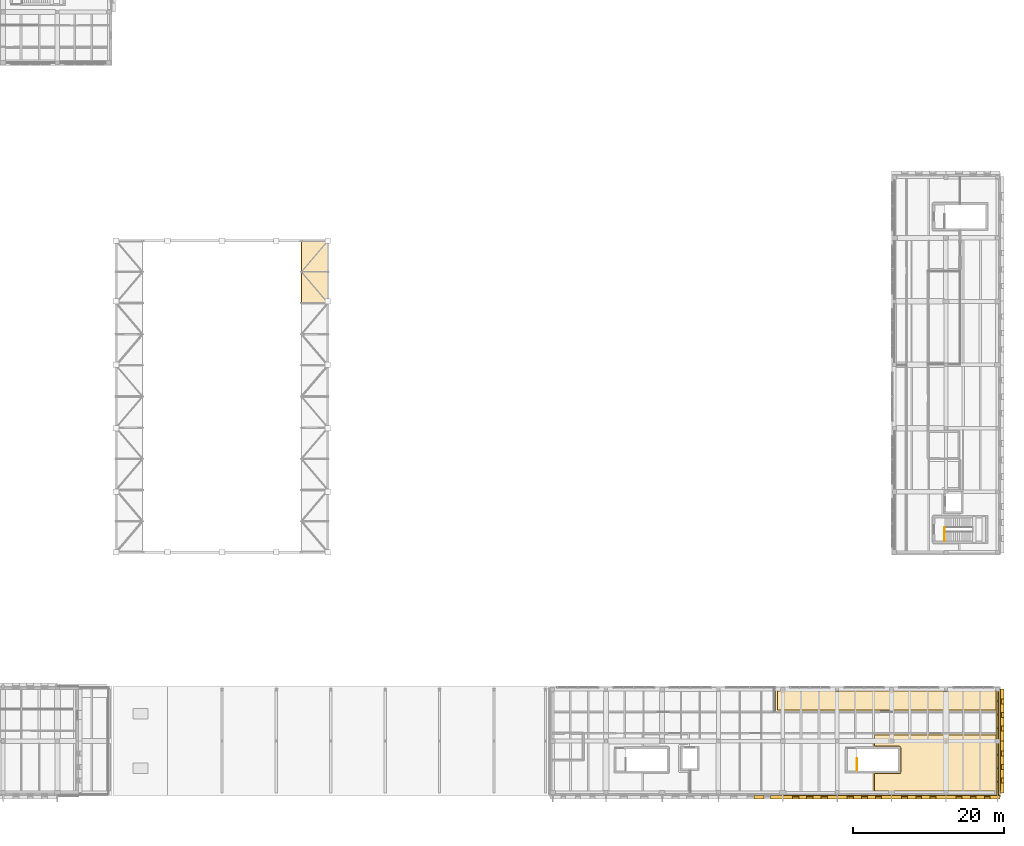
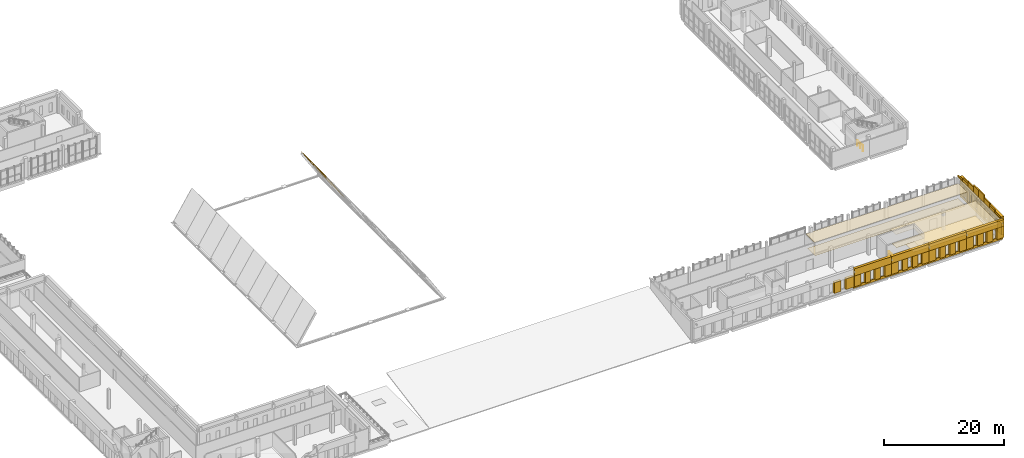
# One storey, part 54 of 56: 52 coverings, 2 railings.
"""IFC4 building model written with IfcOpenShell, lengths in metres."""

from ifc_helpers import new_model, si_unit, direction, frame, origin, origin_2d, place, context, subcontext, project, spatial, polyline, circle, outline, extrude, material, layer, layer_set, type_object, element, save


model = new_model("IFC4")

# Units and contexts
model_context = context("Model", 3, precision=1e-05, world=origin(), true_north=direction((0.0, 1.0)))
body_context = subcontext(model_context, "Body", "Model", "MODEL_VIEW")
ifc_project = project(units=[si_unit("LENGTHUNIT", "METRE"), si_unit("AREAUNIT", "SQUARE_METRE"), si_unit("VOLUMEUNIT", "CUBIC_METRE"), si_unit("PLANEANGLEUNIT", "RADIAN"), si_unit("MASSUNIT", "GRAM", prefix="KILO")], contexts=[model_context])

# Site, building, storey
site_placement = place(None, origin())
site = spatial("IfcSite", under=ifc_project, at=site_placement, CompositionType="ELEMENT")
building_placement = place(site_placement, origin())
building = spatial("IfcBuilding", under=site, at=building_placement, Name="Vardoun Plaza Health Centre", CompositionType="ELEMENT")
storey_placement = place(building_placement, frame((0.0, 0.0, 8.699951171875)))
storey = spatial("IfcBuildingStorey", under=building, at=storey_placement, Name="L02", CompositionType="ELEMENT", Elevation=8.699951171875)

# Coverings
ifc_material_1 = material(Name="Hygienic Acoustic Mineral-Fibre Ceiling", Category="concrete")
ifc_layer_1 = layer(ifc_material_1, 0.02490234375)
ifc_layer_set_1 = layer_set([ifc_layer_1], Name="Hygienic Acoustic Mineral-Fibre Ceiling")
covering_type_1 = type_object("IfcCoveringType", Name="CL-01", PredefinedType="CEILING", material=ifc_layer_set_1)
covering_1_placement = place(storey_placement, frame((0.0, 0.0, 2.864990234375)))
element("IfcCovering", 1, at=covering_1_placement, inside=storey, type_object=covering_type_1, Name="Day Surgery Operating Theatre 2 Acoustic Ceiling", PredefinedType="CEILING", context=body_context, shape_type="SweptSolid", body=[
    extrude(outline(polyline([(164.93994140625, 4.860107421875), (148.449951171875, 4.860107421875), (148.449951171875, 7.590087890625), (151.89990234375, 7.590087890625), (151.90087890625, 7.590087890625), (151.902099609375, 7.590087890625), (151.90283203125, 7.59033203125), (151.90380859375, 7.5908203125), (151.90478515625, 7.59130859375), (151.905517578125, 7.591796875), (151.90625, 7.59228515625), (151.906982421875, 7.593017578125), (151.90771484375, 7.59375), (151.908203125, 7.594482421875), (151.90869140625, 7.59521484375), (151.9091796875, 7.59619140625), (151.90966796875, 7.59716796875), (151.909912109375, 7.597900390625), (151.909912109375, 7.59912109375), (151.909912109375, 7.60009765625), (151.909912109375, 10.800048828125), (151.909912109375, 10.801025390625), (151.909912109375, 10.802001953125), (151.90966796875, 10.802978515625), (151.9091796875, 10.8037109375), (151.90869140625, 10.8046875), (151.908203125, 10.8056640625), (151.90771484375, 10.806396484375), (151.906982421875, 10.80712890625), (151.90625, 10.8076171875), (151.905517578125, 10.808349609375), (151.90478515625, 10.808837890625), (151.90380859375, 10.80908203125), (151.90283203125, 10.8095703125), (151.902099609375, 10.809814453125), (151.90087890625, 10.81005859375), (151.89990234375, 10.81005859375), (148.449951171875, 10.81005859375), (148.449951171875, 12.719970703125), (164.93994140625, 12.719970703125), (164.93994140625, 4.860107421875)])), origin(), (0.0, 0.0, 1.0), 0.025146484375),
])
covering_2_placement = place(storey_placement, frame((0.0, 0.0, 2.864990234375)))
element("IfcCovering", 2, at=covering_2_placement, inside=storey, type_object=covering_type_1, Name="Post-Anaesthesia Care Unit PACU Acoustic Ceiling", PredefinedType="CEILING", context=body_context, shape_type="SweptSolid", body=[
    extrude(outline(polyline([(164.93994140625, 18.5400390625), (164.93994140625, 15.580078125), (135.570068359375, 15.580078125), (135.570068359375, 18.5400390625), (164.93994140625, 18.5400390625)])), origin(), (0.0, 0.0, 1.0), 0.025146484375),
])
ifc_material_2 = material(Name="Pale Limestone Concrete C35/45", Category="masonry")
ifc_layer_2 = layer(ifc_material_2, 0.080078125)
ifc_layer_set_2 = layer_set([ifc_layer_2], Name="Pale Limestone Concrete C35/45")
covering_type_2 = type_object("IfcCoveringType", Name="CL-EXT1", PredefinedType="CLADDING", material=ifc_layer_set_2)
covering_3_placement = place(storey_placement, origin())
element("IfcCovering", 3, at=covering_3_placement, inside=storey, type_object=covering_type_2, Name="V5 L02 Pale Concrete Sill Band 1182", PredefinedType="CLADDING", context=body_context, shape_type="SweptSolid", body=[
    extrude(outline(polyline([(165.300048828125, 18.5849609375), (165.300048828125, 11.719970703125), (165.43994140625, 11.719970703125), (165.43994140625, 18.5849609375), (165.300048828125, 18.5849609375)])), origin(), (0.0, 0.0, 1.0), 0.550048828125),
])
covering_4_placement = place(storey_placement, frame((0.0, 0.0, 2.900146484375)))
element("IfcCovering", 4, at=covering_4_placement, inside=storey, type_object=covering_type_2, Name="V5 L02 Sculpted Concrete Eyebrow Hood 1183", PredefinedType="CLADDING", context=body_context, shape_type="SweptSolid", body=[
    extrude(outline(polyline([(165.300048828125, 18.5849609375), (165.300048828125, 11.719970703125), (165.780029296875, 11.719970703125), (165.780029296875, 18.5849609375), (165.300048828125, 18.5849609375)])), origin(), (0.0, 0.0, 1.0), 1.2998046875),
])
covering_5_placement = place(storey_placement, frame((0.0, 0.0, 0.550048828125)))
element("IfcCovering", 5, at=covering_5_placement, inside=storey, type_object=covering_type_2, Name="V5 L02 Deep-Punched Slot Concrete Reveal Pier 1184", PredefinedType="CLADDING", context=body_context, shape_type="SweptSolid", body=[
    extrude(outline(polyline([(165.300048828125, 18.5849609375), (165.300048828125, 17.2578125), (165.780029296875, 17.2578125), (165.780029296875, 18.5849609375), (165.300048828125, 18.5849609375)])), origin(), (0.0, 0.0, 1.0), 2.35009765625),
])
covering_6_placement = place(storey_placement, frame((0.0, 0.0, 0.550048828125)))
element("IfcCovering", 6, at=covering_6_placement, inside=storey, type_object=covering_type_2, Name="V5 L02 Deep-Punched Slot Concrete Reveal Pier 1185", PredefinedType="CLADDING", context=body_context, shape_type="SweptSolid", body=[
    extrude(outline(polyline([(165.300048828125, 16.6376953125), (165.300048828125, 15.46240234375), (165.780029296875, 15.46240234375), (165.780029296875, 16.6376953125), (165.300048828125, 16.6376953125)])), origin(), (0.0, 0.0, 1.0), 2.35009765625),
])
covering_7_placement = place(storey_placement, frame((0.0, 0.0, 0.550048828125)))
element("IfcCovering", 7, at=covering_7_placement, inside=storey, type_object=covering_type_2, Name="V5 L02 Deep-Punched Slot Concrete Reveal Pier 1186", PredefinedType="CLADDING", context=body_context, shape_type="SweptSolid", body=[
    extrude(outline(polyline([(165.300048828125, 14.842529296875), (165.300048828125, 13.667236328125), (165.780029296875, 13.667236328125), (165.780029296875, 14.842529296875), (165.300048828125, 14.842529296875)])), origin(), (0.0, 0.0, 1.0), 2.35009765625),
])
covering_8_placement = place(storey_placement, frame((0.0, 0.0, 0.550048828125)))
element("IfcCovering", 8, at=covering_8_placement, inside=storey, type_object=covering_type_2, Name="V5 L02 Deep-Punched Slot Concrete Reveal Pier 1187", PredefinedType="CLADDING", context=body_context, shape_type="SweptSolid", body=[
    extrude(outline(polyline([(165.300048828125, 13.047119140625), (165.300048828125, 11.719970703125), (165.780029296875, 11.719970703125), (165.780029296875, 13.047119140625), (165.300048828125, 13.047119140625)])), origin(), (0.0, 0.0, 1.0), 2.35009765625),
])
covering_9_placement = place(storey_placement, origin())
element("IfcCovering", 9, at=covering_9_placement, inside=storey, type_object=covering_type_2, Name="V5 L02 Pale Concrete Sill Band 1188", PredefinedType="CLADDING", context=body_context, shape_type="SweptSolid", body=[
    extrude(outline(polyline([(165.300048828125, 11.679931640625), (165.300048828125, 4.81494140625), (165.43994140625, 4.81494140625), (165.43994140625, 11.679931640625), (165.300048828125, 11.679931640625)])), origin(), (0.0, 0.0, 1.0), 0.550048828125),
])
covering_10_placement = place(storey_placement, frame((0.0, 0.0, 2.900146484375)))
element("IfcCovering", 10, at=covering_10_placement, inside=storey, type_object=covering_type_2, Name="V5 L02 Sculpted Concrete Eyebrow Hood 1189", PredefinedType="CLADDING", context=body_context, shape_type="SweptSolid", body=[
    extrude(outline(polyline([(165.300048828125, 11.679931640625), (165.300048828125, 4.81494140625), (165.780029296875, 4.81494140625), (165.780029296875, 11.679931640625), (165.300048828125, 11.679931640625)])), origin(), (0.0, 0.0, 1.0), 1.2998046875),
])
covering_11_placement = place(storey_placement, frame((0.0, 0.0, 0.550048828125)))
element("IfcCovering", 11, at=covering_11_placement, inside=storey, type_object=covering_type_2, Name="V5 L02 Deep-Punched Slot Concrete Reveal Pier 1190", PredefinedType="CLADDING", context=body_context, shape_type="SweptSolid", body=[
    extrude(outline(polyline([(165.300048828125, 11.679931640625), (165.300048828125, 10.372802734375), (165.780029296875, 10.372802734375), (165.780029296875, 11.679931640625), (165.300048828125, 11.679931640625)])), origin(), (0.0, 0.0, 1.0), 2.35009765625),
])
covering_12_placement = place(storey_placement, frame((0.0, 0.0, 0.550048828125)))
element("IfcCovering", 12, at=covering_12_placement, inside=storey, type_object=covering_type_2, Name="V5 L02 Deep-Punched Slot Concrete Reveal Pier 1191", PredefinedType="CLADDING", context=body_context, shape_type="SweptSolid", body=[
    extrude(outline(polyline([(165.300048828125, 9.712890625), (165.300048828125, 8.577392578125), (165.780029296875, 8.577392578125), (165.780029296875, 9.712890625), (165.300048828125, 9.712890625)])), origin(), (0.0, 0.0, 1.0), 2.35009765625),
])
covering_13_placement = place(storey_placement, frame((0.0, 0.0, 0.550048828125)))
element("IfcCovering", 13, at=covering_13_placement, inside=storey, type_object=covering_type_2, Name="V5 L02 Deep-Punched Slot Concrete Reveal Pier 1192", PredefinedType="CLADDING", context=body_context, shape_type="SweptSolid", body=[
    extrude(outline(polyline([(165.300048828125, 7.91748046875), (165.300048828125, 6.7822265625), (165.780029296875, 6.7822265625), (165.780029296875, 7.91748046875), (165.300048828125, 7.91748046875)])), origin(), (0.0, 0.0, 1.0), 2.35009765625),
])
covering_14_placement = place(storey_placement, frame((0.0, 0.0, 0.550048828125)))
element("IfcCovering", 14, at=covering_14_placement, inside=storey, type_object=covering_type_2, Name="V5 L02 Deep-Punched Slot Concrete Reveal Pier 1193", PredefinedType="CLADDING", context=body_context, shape_type="SweptSolid", body=[
    extrude(outline(polyline([(165.300048828125, 6.122314453125), (165.300048828125, 4.81494140625), (165.780029296875, 4.81494140625), (165.780029296875, 6.122314453125), (165.300048828125, 6.122314453125)])), origin(), (0.0, 0.0, 1.0), 2.35009765625),
])
covering_15_placement = place(storey_placement, origin())
element("IfcCovering", 15, at=covering_15_placement, inside=storey, type_object=covering_type_2, Name="V5 L02 Pale Concrete Sill Band 1194", PredefinedType="CLADDING", context=body_context, shape_type="SweptSolid", body=[
    extrude(outline(polyline([(165.280029296875, 4.5), (158.1201171875, 4.5), (158.1201171875, 4.360107421875), (165.280029296875, 4.360107421875), (165.280029296875, 4.5)])), origin(), (0.0, 0.0, 1.0), 0.550048828125),
])
covering_16_placement = place(storey_placement, frame((0.0, 0.0, 2.85009765625)))
element("IfcCovering", 16, at=covering_16_placement, inside=storey, type_object=covering_type_2, Name="V5 L02 Sculpted Concrete Eyebrow Hood 1195", PredefinedType="CLADDING", context=body_context, shape_type="SweptSolid", body=[
    extrude(outline(polyline([(165.280029296875, 4.5), (158.1201171875, 4.5), (158.1201171875, 4.02001953125), (165.280029296875, 4.02001953125), (165.280029296875, 4.5)])), origin(), (0.0, 0.0, 1.0), 1.349853515625),
])
covering_17_placement = place(storey_placement, frame((0.0, 0.0, 0.550048828125)))
element("IfcCovering", 17, at=covering_17_placement, inside=storey, type_object=covering_type_2, Name="V5 L02 Deep-Punched Slot Concrete Reveal Pier 1196", PredefinedType="CLADDING", context=body_context, shape_type="SweptSolid", body=[
    extrude(outline(polyline([(165.280029296875, 4.5), (163.94189453125, 4.5), (163.94189453125, 4.02001953125), (165.280029296875, 4.02001953125), (165.280029296875, 4.5)])), origin(), (0.0, 0.0, 1.0), 2.300048828125),
])
covering_18_placement = place(storey_placement, frame((0.0, 0.0, 0.550048828125)))
element("IfcCovering", 18, at=covering_18_placement, inside=storey, type_object=covering_type_2, Name="V5 L02 Deep-Punched Slot Concrete Reveal Pier 1197", PredefinedType="CLADDING", context=body_context, shape_type="SweptSolid", body=[
    extrude(outline(polyline([(163.201904296875, 4.5), (162.070068359375, 4.5), (162.070068359375, 4.02001953125), (163.201904296875, 4.02001953125), (163.201904296875, 4.5)])), origin(), (0.0, 0.0, 1.0), 2.300048828125),
])
covering_19_placement = place(storey_placement, frame((0.0, 0.0, 0.550048828125)))
element("IfcCovering", 19, at=covering_19_placement, inside=storey, type_object=covering_type_2, Name="V5 L02 Deep-Punched Slot Concrete Reveal Pier 1198", PredefinedType="CLADDING", context=body_context, shape_type="SweptSolid", body=[
    extrude(outline(polyline([(161.330078125, 4.5), (160.197998046875, 4.5), (160.197998046875, 4.02001953125), (161.330078125, 4.02001953125), (161.330078125, 4.5)])), origin(), (0.0, 0.0, 1.0), 2.300048828125),
])
covering_20_placement = place(storey_placement, frame((0.0, 0.0, 0.550048828125)))
element("IfcCovering", 20, at=covering_20_placement, inside=storey, type_object=covering_type_2, Name="V5 L02 Deep-Punched Slot Concrete Reveal Pier 1199", PredefinedType="CLADDING", context=body_context, shape_type="SweptSolid", body=[
    extrude(outline(polyline([(159.4580078125, 4.5), (158.1201171875, 4.5), (158.1201171875, 4.02001953125), (159.4580078125, 4.02001953125), (159.4580078125, 4.5)])), origin(), (0.0, 0.0, 1.0), 2.300048828125),
])
covering_21_placement = place(storey_placement, origin())
element("IfcCovering", 21, at=covering_21_placement, inside=storey, type_object=covering_type_2, Name="V5 L02 Pale Concrete Sill Band 1200", PredefinedType="CLADDING", context=body_context, shape_type="SweptSolid", body=[
    extrude(outline(polyline([(158.080078125, 4.5), (150.919921875, 4.5), (150.919921875, 4.360107421875), (158.080078125, 4.360107421875), (158.080078125, 4.5)])), origin(), (0.0, 0.0, 1.0), 0.550048828125),
])
covering_22_placement = place(storey_placement, frame((0.0, 0.0, 2.800048828125)))
element("IfcCovering", 22, at=covering_22_placement, inside=storey, type_object=covering_type_2, Name="V5 L02 Sculpted Concrete Eyebrow Hood 1201", PredefinedType="CLADDING", context=body_context, shape_type="SweptSolid", body=[
    extrude(outline(polyline([(158.080078125, 4.5), (150.919921875, 4.5), (150.919921875, 4.02001953125), (158.080078125, 4.02001953125), (158.080078125, 4.5)])), origin(), (0.0, 0.0, 1.0), 1.39990234375),
])
covering_23_placement = place(storey_placement, frame((0.0, 0.0, 0.550048828125)))
element("IfcCovering", 23, at=covering_23_placement, inside=storey, type_object=covering_type_2, Name="V5 L02 Deep-Punched Slot Concrete Reveal Pier 1202", PredefinedType="CLADDING", context=body_context, shape_type="SweptSolid", body=[
    extrude(outline(polyline([(158.080078125, 4.5), (156.761962890625, 4.5), (156.761962890625, 4.02001953125), (158.080078125, 4.02001953125), (158.080078125, 4.5)])), origin(), (0.0, 0.0, 1.0), 2.25),
])
covering_24_placement = place(storey_placement, frame((0.0, 0.0, 0.550048828125)))
element("IfcCovering", 24, at=covering_24_placement, inside=storey, type_object=covering_type_2, Name="V5 L02 Deep-Punched Slot Concrete Reveal Pier 1203", PredefinedType="CLADDING", context=body_context, shape_type="SweptSolid", body=[
    extrude(outline(polyline([(155.98193359375, 4.5), (154.889892578125, 4.5), (154.889892578125, 4.02001953125), (155.98193359375, 4.02001953125), (155.98193359375, 4.5)])), origin(), (0.0, 0.0, 1.0), 2.25),
])
covering_25_placement = place(storey_placement, frame((0.0, 0.0, 0.550048828125)))
element("IfcCovering", 25, at=covering_25_placement, inside=storey, type_object=covering_type_2, Name="V5 L02 Deep-Punched Slot Concrete Reveal Pier 1204", PredefinedType="CLADDING", context=body_context, shape_type="SweptSolid", body=[
    extrude(outline(polyline([(154.110107421875, 4.5), (153.01806640625, 4.5), (153.01806640625, 4.02001953125), (154.110107421875, 4.02001953125), (154.110107421875, 4.5)])), origin(), (0.0, 0.0, 1.0), 2.25),
])
covering_26_placement = place(storey_placement, frame((0.0, 0.0, 0.550048828125)))
element("IfcCovering", 26, at=covering_26_placement, inside=storey, type_object=covering_type_2, Name="V5 L02 Deep-Punched Slot Concrete Reveal Pier 1205", PredefinedType="CLADDING", context=body_context, shape_type="SweptSolid", body=[
    extrude(outline(polyline([(152.238037109375, 4.5), (150.919921875, 4.5), (150.919921875, 4.02001953125), (152.238037109375, 4.02001953125), (152.238037109375, 4.5)])), origin(), (0.0, 0.0, 1.0), 2.25),
])
covering_27_placement = place(storey_placement, origin())
element("IfcCovering", 27, at=covering_27_placement, inside=storey, type_object=covering_type_2, Name="V5 L02 Pale Concrete Sill Band 1206", PredefinedType="CLADDING", context=body_context, shape_type="SweptSolid", body=[
    extrude(outline(polyline([(150.8798828125, 4.5), (143.719970703125, 4.5), (143.719970703125, 4.360107421875), (150.8798828125, 4.360107421875), (150.8798828125, 4.5)])), origin(), (0.0, 0.0, 1.0), 0.550048828125),
])
covering_28_placement = place(storey_placement, frame((0.0, 0.0, 2.800048828125)))
element("IfcCovering", 28, at=covering_28_placement, inside=storey, type_object=covering_type_2, Name="V5 L02 Sculpted Concrete Eyebrow Hood 1207", PredefinedType="CLADDING", context=body_context, shape_type="SweptSolid", body=[
    extrude(outline(polyline([(150.8798828125, 4.5), (143.719970703125, 4.5), (143.719970703125, 4.02001953125), (150.8798828125, 4.02001953125), (150.8798828125, 4.5)])), origin(), (0.0, 0.0, 1.0), 1.39990234375),
])
covering_29_placement = place(storey_placement, frame((0.0, 0.0, 0.550048828125)))
element("IfcCovering", 29, at=covering_29_placement, inside=storey, type_object=covering_type_2, Name="V5 L02 Deep-Punched Slot Concrete Reveal Pier 1208", PredefinedType="CLADDING", context=body_context, shape_type="SweptSolid", body=[
    extrude(outline(polyline([(150.8798828125, 4.5), (149.58203125, 4.5), (149.58203125, 4.02001953125), (150.8798828125, 4.02001953125), (150.8798828125, 4.5)])), origin(), (0.0, 0.0, 1.0), 2.25),
])
covering_30_placement = place(storey_placement, frame((0.0, 0.0, 0.550048828125)))
element("IfcCovering", 30, at=covering_30_placement, inside=storey, type_object=covering_type_2, Name="V5 L02 Deep-Punched Slot Concrete Reveal Pier 1209", PredefinedType="CLADDING", context=body_context, shape_type="SweptSolid", body=[
    extrude(outline(polyline([(148.761962890625, 4.5), (147.7099609375, 4.5), (147.7099609375, 4.02001953125), (148.761962890625, 4.02001953125), (148.761962890625, 4.5)])), origin(), (0.0, 0.0, 1.0), 2.25),
])
covering_31_placement = place(storey_placement, frame((0.0, 0.0, 0.550048828125)))
element("IfcCovering", 31, at=covering_31_placement, inside=storey, type_object=covering_type_2, Name="V5 L02 Deep-Punched Slot Concrete Reveal Pier 1210", PredefinedType="CLADDING", context=body_context, shape_type="SweptSolid", body=[
    extrude(outline(polyline([(146.889892578125, 4.5), (145.837890625, 4.5), (145.837890625, 4.02001953125), (146.889892578125, 4.02001953125), (146.889892578125, 4.5)])), origin(), (0.0, 0.0, 1.0), 2.25),
])
covering_32_placement = place(storey_placement, frame((0.0, 0.0, 0.550048828125)))
element("IfcCovering", 32, at=covering_32_placement, inside=storey, type_object=covering_type_2, Name="V5 L02 Deep-Punched Slot Concrete Reveal Pier 1211", PredefinedType="CLADDING", context=body_context, shape_type="SweptSolid", body=[
    extrude(outline(polyline([(145.01806640625, 4.5), (143.719970703125, 4.5), (143.719970703125, 4.02001953125), (145.01806640625, 4.02001953125), (145.01806640625, 4.5)])), origin(), (0.0, 0.0, 1.0), 2.25),
])
covering_33_placement = place(storey_placement, origin())
element("IfcCovering", 33, at=covering_33_placement, inside=storey, type_object=covering_type_2, Name="V5 L02 Pale Concrete Sill Band 1212", PredefinedType="CLADDING", context=body_context, shape_type="SweptSolid", body=[
    extrude(outline(polyline([(143.679931640625, 4.5), (136.52001953125, 4.5), (136.52001953125, 4.360107421875), (143.679931640625, 4.360107421875), (143.679931640625, 4.5)])), origin(), (0.0, 0.0, 1.0), 0.550048828125),
])
covering_34_placement = place(storey_placement, frame((0.0, 0.0, 2.75)))
element("IfcCovering", 34, at=covering_34_placement, inside=storey, type_object=covering_type_2, Name="V5 L02 Sculpted Concrete Eyebrow Hood 1213", PredefinedType="CLADDING", context=body_context, shape_type="SweptSolid", body=[
    extrude(outline(polyline([(143.679931640625, 4.5), (136.52001953125, 4.5), (136.52001953125, 4.02001953125), (143.679931640625, 4.02001953125), (143.679931640625, 4.5)])), origin(), (0.0, 0.0, 1.0), 1.449951171875),
])
covering_35_placement = place(storey_placement, frame((0.0, 0.0, 0.550048828125)))
element("IfcCovering", 35, at=covering_35_placement, inside=storey, type_object=covering_type_2, Name="V5 L02 Deep-Punched Slot Concrete Reveal Pier 1214", PredefinedType="CLADDING", context=body_context, shape_type="SweptSolid", body=[
    extrude(outline(polyline([(143.679931640625, 4.5), (142.402099609375, 4.5), (142.402099609375, 4.02001953125), (143.679931640625, 4.02001953125), (143.679931640625, 4.5)])), origin(), (0.0, 0.0, 1.0), 2.199951171875),
])
covering_36_placement = place(storey_placement, frame((0.0, 0.0, 0.550048828125)))
element("IfcCovering", 36, at=covering_36_placement, inside=storey, type_object=covering_type_2, Name="V5 L02 Deep-Punched Slot Concrete Reveal Pier 1215", PredefinedType="CLADDING", context=body_context, shape_type="SweptSolid", body=[
    extrude(outline(polyline([(141.5419921875, 4.5), (140.530029296875, 4.5), (140.530029296875, 4.02001953125), (141.5419921875, 4.02001953125), (141.5419921875, 4.5)])), origin(), (0.0, 0.0, 1.0), 2.199951171875),
])
covering_37_placement = place(storey_placement, frame((0.0, 0.0, 0.550048828125)))
element("IfcCovering", 37, at=covering_37_placement, inside=storey, type_object=covering_type_2, Name="V5 L02 Deep-Punched Slot Concrete Reveal Pier 1216", PredefinedType="CLADDING", context=body_context, shape_type="SweptSolid", body=[
    extrude(outline(polyline([(139.669921875, 4.5), (138.657958984375, 4.5), (138.657958984375, 4.02001953125), (139.669921875, 4.02001953125), (139.669921875, 4.5)])), origin(), (0.0, 0.0, 1.0), 2.199951171875),
])
covering_38_placement = place(storey_placement, frame((0.0, 0.0, 0.550048828125)))
element("IfcCovering", 38, at=covering_38_placement, inside=storey, type_object=covering_type_2, Name="V5 L02 Deep-Punched Slot Concrete Reveal Pier 1217", PredefinedType="CLADDING", context=body_context, shape_type="SweptSolid", body=[
    extrude(outline(polyline([(137.798095703125, 4.5), (136.52001953125, 4.5), (136.52001953125, 4.02001953125), (137.798095703125, 4.02001953125), (137.798095703125, 4.5)])), origin(), (0.0, 0.0, 1.0), 2.199951171875),
])
covering_39_placement = place(storey_placement, frame((0.0, 0.0, 0.550048828125)))
element("IfcCovering", 39, at=covering_39_placement, inside=storey, type_object=covering_type_2, Name="V5 L02 Deep-Punched Slot Concrete Reveal Pier 1220", PredefinedType="CLADDING", context=body_context, shape_type="SweptSolid", body=[
    extrude(outline(polyline([(136.47998046875, 4.5), (134.9052734375, 4.5), (134.9052734375, 4.02001953125), (136.47998046875, 4.02001953125), (136.47998046875, 4.5)])), origin(), (0.0, 0.0, 1.0), 2.199951171875),
])
covering_40_placement = place(storey_placement, frame((0.0, 0.0, 0.550048828125)))
element("IfcCovering", 40, at=covering_40_placement, inside=storey, type_object=covering_type_2, Name="V5 L02 Deep-Punched Slot Concrete Reveal Pier 1221", PredefinedType="CLADDING", context=body_context, shape_type="SweptSolid", body=[
    extrude(outline(polyline([(134.005126953125, 4.5), (132.68994140625, 4.5), (132.68994140625, 4.02001953125), (134.005126953125, 4.02001953125), (134.005126953125, 4.5)])), origin(), (0.0, 0.0, 1.0), 2.199951171875),
])
covering_41_placement = place(storey_placement, frame((0.0, 0.0, 4.199951171875)))
element("IfcCovering", 41, at=covering_41_placement, inside=storey, type_object=covering_type_2, Name="Sculpted Concrete Roof Gable Cladding V5-E.1", PredefinedType="CLADDING", context=body_context, shape_type="SweptSolid", body=[
    extrude(outline(polyline([(165.06005859375, 4.5400390625), (165.06005859375, 6.3173828125), (164.840087890625, 6.3173828125), (164.840087890625, 4.5400390625), (165.06005859375, 4.5400390625)])), origin(), (0.0, 0.0, 1.0), 0.215087890625),
])
covering_42_placement = place(storey_placement, frame((0.0, 0.0, 4.199951171875)))
element("IfcCovering", 42, at=covering_42_placement, inside=storey, type_object=covering_type_2, Name="Sculpted Concrete Roof Gable Cladding V5-E.2", PredefinedType="CLADDING", context=body_context, shape_type="SweptSolid", body=[
    extrude(outline(polyline([(165.06005859375, 6.3173828125), (165.06005859375, 8.094970703125), (164.840087890625, 8.094970703125), (164.840087890625, 6.3173828125), (165.06005859375, 6.3173828125)])), origin(), (0.0, 0.0, 1.0), 0.64501953125),
])
covering_43_placement = place(storey_placement, frame((0.0, 0.0, 4.199951171875)))
element("IfcCovering", 43, at=covering_43_placement, inside=storey, type_object=covering_type_2, Name="Sculpted Concrete Roof Gable Cladding V5-E.3", PredefinedType="CLADDING", context=body_context, shape_type="SweptSolid", body=[
    extrude(outline(polyline([(165.06005859375, 8.094970703125), (165.06005859375, 9.87255859375), (164.840087890625, 9.87255859375), (164.840087890625, 8.094970703125), (165.06005859375, 8.094970703125)])), origin(), (0.0, 0.0, 1.0), 1.0751953125),
])
covering_44_placement = place(storey_placement, frame((0.0, 0.0, 4.199951171875)))
element("IfcCovering", 44, at=covering_44_placement, inside=storey, type_object=covering_type_2, Name="Sculpted Concrete Roof Gable Cladding V5-E.4", PredefinedType="CLADDING", context=body_context, shape_type="SweptSolid", body=[
    extrude(outline(polyline([(165.06005859375, 9.87255859375), (165.06005859375, 11.64990234375), (164.840087890625, 11.64990234375), (164.840087890625, 9.87255859375), (165.06005859375, 9.87255859375)])), origin(), (0.0, 0.0, 1.0), 1.505126953125),
])
covering_45_placement = place(storey_placement, frame((0.0, 0.0, 4.199951171875)))
element("IfcCovering", 45, at=covering_45_placement, inside=storey, type_object=covering_type_2, Name="Sculpted Concrete Roof Gable Cladding V5-E.5", PredefinedType="CLADDING", context=body_context, shape_type="SweptSolid", body=[
    extrude(outline(polyline([(165.06005859375, 11.64990234375), (165.06005859375, 13.427490234375), (164.840087890625, 13.427490234375), (164.840087890625, 11.64990234375), (165.06005859375, 11.64990234375)])), origin(), (0.0, 0.0, 1.0), 1.505126953125),
])
covering_46_placement = place(storey_placement, frame((0.0, 0.0, 4.199951171875)))
element("IfcCovering", 46, at=covering_46_placement, inside=storey, type_object=covering_type_2, Name="Sculpted Concrete Roof Gable Cladding V5-E.6", PredefinedType="CLADDING", context=body_context, shape_type="SweptSolid", body=[
    extrude(outline(polyline([(165.06005859375, 13.427490234375), (165.06005859375, 15.205078125), (164.840087890625, 15.205078125), (164.840087890625, 13.427490234375), (165.06005859375, 13.427490234375)])), origin(), (0.0, 0.0, 1.0), 1.0751953125),
])
covering_47_placement = place(storey_placement, frame((0.0, 0.0, 4.199951171875)))
element("IfcCovering", 47, at=covering_47_placement, inside=storey, type_object=covering_type_2, Name="Sculpted Concrete Roof Gable Cladding V5-E.7", PredefinedType="CLADDING", context=body_context, shape_type="SweptSolid", body=[
    extrude(outline(polyline([(165.06005859375, 15.205078125), (165.06005859375, 16.982421875), (164.840087890625, 16.982421875), (164.840087890625, 15.205078125), (165.06005859375, 15.205078125)])), origin(), (0.0, 0.0, 1.0), 0.64501953125),
])
covering_48_placement = place(storey_placement, frame((0.0, 0.0, 4.199951171875)))
element("IfcCovering", 48, at=covering_48_placement, inside=storey, type_object=covering_type_2, Name="Sculpted Concrete Roof Gable Cladding V5-E.8", PredefinedType="CLADDING", context=body_context, shape_type="SweptSolid", body=[
    extrude(outline(polyline([(165.06005859375, 16.982421875), (165.06005859375, 18.760009765625), (164.840087890625, 18.760009765625), (164.840087890625, 16.982421875), (165.06005859375, 16.982421875)])), origin(), (0.0, 0.0, 1.0), 0.215087890625),
])
ifc_material_3 = material(Name="Seamless Conductive Clinical Vinyl Flooring", Category="concrete")
ifc_layer_3 = layer(ifc_material_3, 0.014892578125)
ifc_layer_set_3 = layer_set([ifc_layer_3], Name="Seamless Conductive Clinical Vinyl Flooring")
covering_type_3 = type_object("IfcCoveringType", Name="FL-01", PredefinedType="FLOORING", material=ifc_layer_set_3)
covering_49_placement = place(storey_placement, origin())
element("IfcCovering", 49, at=covering_49_placement, inside=storey, type_object=covering_type_3, Name="Day Surgery Operating Theatre 2 Floor Finish", PredefinedType="FLOORING", context=body_context, shape_type="SweptSolid", body=[
    extrude(outline(polyline([(164.72998046875, 5.070068359375), (148.659912109375, 5.070068359375), (148.659912109375, 7.3798828125), (151.89990234375, 7.3798828125), (151.921630859375, 7.381103515625), (151.94287109375, 7.38427734375), (151.9638671875, 7.389404296875), (151.984130859375, 7.396728515625), (152.003662109375, 7.406005859375), (152.022216796875, 7.4169921875), (152.03955078125, 7.429931640625), (152.0556640625, 7.4443359375), (152.070068359375, 7.46044921875), (152.0830078125, 7.477783203125), (152.093994140625, 7.496337890625), (152.103271484375, 7.515869140625), (152.110595703125, 7.5361328125), (152.11572265625, 7.55712890625), (152.118896484375, 7.578369140625), (152.1201171875, 7.60009765625), (152.1201171875, 10.800048828125), (152.118896484375, 10.821533203125), (152.11572265625, 10.843017578125), (152.110595703125, 10.864013671875), (152.103271484375, 10.88427734375), (152.093994140625, 10.90380859375), (152.0830078125, 10.922119140625), (152.070068359375, 10.939697265625), (152.0556640625, 10.95556640625), (152.03955078125, 10.97021484375), (152.022216796875, 10.98291015625), (152.003662109375, 10.993896484375), (151.984130859375, 11.00341796875), (151.9638671875, 11.010498046875), (151.94287109375, 11.015869140625), (151.921630859375, 11.018798828125), (151.89990234375, 11.02001953125), (148.659912109375, 11.02001953125), (148.659912109375, 12.510009765625), (164.72998046875, 12.510009765625), (164.72998046875, 5.070068359375)])), origin(), (0.0, 0.0, 1.0), 0.01513671875),
])
covering_50_placement = place(storey_placement, origin())
element("IfcCovering", 50, at=covering_50_placement, inside=storey, type_object=covering_type_3, Name="Post-Anaesthesia Care Unit PACU Floor Finish", PredefinedType="FLOORING", context=body_context, shape_type="SweptSolid", body=[
    extrude(outline(polyline([(164.72998046875, 18.330078125), (164.72998046875, 15.7900390625), (135.780029296875, 15.7900390625), (135.780029296875, 18.330078125), (164.72998046875, 18.330078125)])), origin(), (0.0, 0.0, 1.0), 0.01513671875),
])
ifc_material_4 = material(Name="EPDM Insulated Roof Membrane", Category="concrete")
ifc_layer_4 = layer(ifc_material_4, 0.044921875)
ifc_layer_set_4 = layer_set([ifc_layer_4], Name="EPDM Insulated Roof Membrane")
covering_type_4 = type_object("IfcCoveringType", Name="CV-M1", PredefinedType="ROOFING", material=ifc_layer_set_4)
covering_51_placement = place(storey_placement, frame((72.794921875, 69.672119140625, 5.592529296875), z_axis=(0.843855335008, 0.0, 0.536570753563), x_axis=(0.536570753563, 0.0, -0.843855335008)))
element("IfcCovering", 51, at=covering_51_placement, inside=storey, type_object=covering_type_4, Name="Gridshell Vault Cladding 9.8", PredefinedType="ROOFING", context=body_context, shape_type="SweptSolid", body=[
    extrude(outline(polyline([(0.0, 0.0), (6.532459940928027, 0.0), (6.532459940928027, 4.123779296875), (0.0, 4.123779296875), (0.0, 0.0)])), origin(), (0.0, 0.0, -1.0), 0.044921875),
])
covering_52_placement = place(storey_placement, frame((72.794921875, 73.7958984375, 5.592529296875), z_axis=(0.843855335008, 0.0, 0.536570753563), x_axis=(0.536570753563, 0.0, -0.843855335008)))
element("IfcCovering", 52, at=covering_52_placement, inside=storey, type_object=covering_type_4, Name="Gridshell Vault Cladding 10.8", PredefinedType="ROOFING", context=body_context, shape_type="SweptSolid", body=[
    extrude(outline(polyline([(0.0, 0.0), (6.532459940928027, 0.0), (6.532459940928027, 4.1240234375), (0.0, 4.1240234375), (0.0, 0.0)])), origin(), (0.0, 0.0, -1.0), 0.044921875),
])

# Railings
ifc_material_5 = material(Name="Painted Steel S275JR Stair-Well Guardrail", Category="steel")
railing_type = type_object("IfcRailingType", Name="GR-04", PredefinedType="GUARDRAIL", material=ifc_material_5)
railing_1_placement = place(storey_placement, frame((157.909912109375, 38.179931640625, 0.0)))
element("IfcRailing", 53, at=railing_1_placement, inside=storey, type_object=railing_type, Name="Stair ST-C10-L01 Upper Landing Well Guard", PredefinedType="GUARDRAIL", context=body_context, shape_type="SweptSolid", body=[
    extrude(circle(Radius=0.02392578125, at=origin_2d()), frame((0.0, 0.0, 1.09619140625), z_axis=(0.0, 1.0, 0.0), x_axis=(-1.0, 0.0, 0.0)), (0.0, 0.0, 1.0), 1.815185546875),
    extrude(circle(Radius=0.02099609375, at=origin_2d()), origin(), (0.0, 0.0, 1.0), 1.072021484375),
    extrude(circle(Radius=0.02099609375, at=origin_2d()), frame((0.0, 0.90771484375, 0.0)), (0.0, 0.0, 1.0), 1.072021484375),
    extrude(circle(Radius=0.02099609375, at=origin_2d()), frame((0.0, 1.815185546875, 0.0)), (0.0, 0.0, 1.0), 1.072021484375),
])
railing_2_placement = place(storey_placement, frame((146.31005859375, 7.780029296875, 0.0)))
element("IfcRailing", 54, at=railing_2_placement, inside=storey, type_object=railing_type, Name="Stair ST-C9-L01 Upper Landing Well Guard", PredefinedType="GUARDRAIL", context=body_context, shape_type="SweptSolid", body=[
    extrude(circle(Radius=0.02392578125, at=origin_2d()), frame((0.0, 0.0, 1.09619140625), z_axis=(0.0, 1.0, 0.0), x_axis=(-1.0, 0.0, 0.0)), (0.0, 0.0, 1.0), 1.614990234375),
    extrude(circle(Radius=0.02099609375, at=origin_2d()), origin(), (0.0, 0.0, 1.0), 1.072021484375),
    extrude(circle(Radius=0.02099609375, at=origin_2d()), frame((0.0, 0.8076171875, 0.0)), (0.0, 0.0, 1.0), 1.072021484375),
    extrude(circle(Radius=0.02099609375, at=origin_2d()), frame((0.0, 1.614990234375, 0.0)), (0.0, 0.0, 1.0), 1.072021484375),
])

save(model, "model.ifc")
